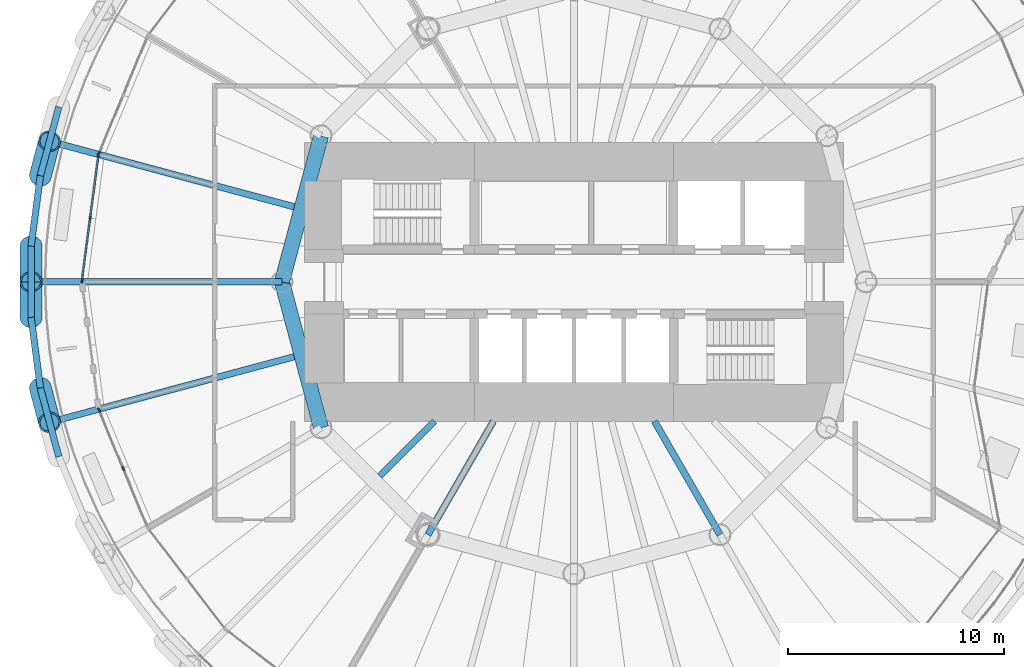
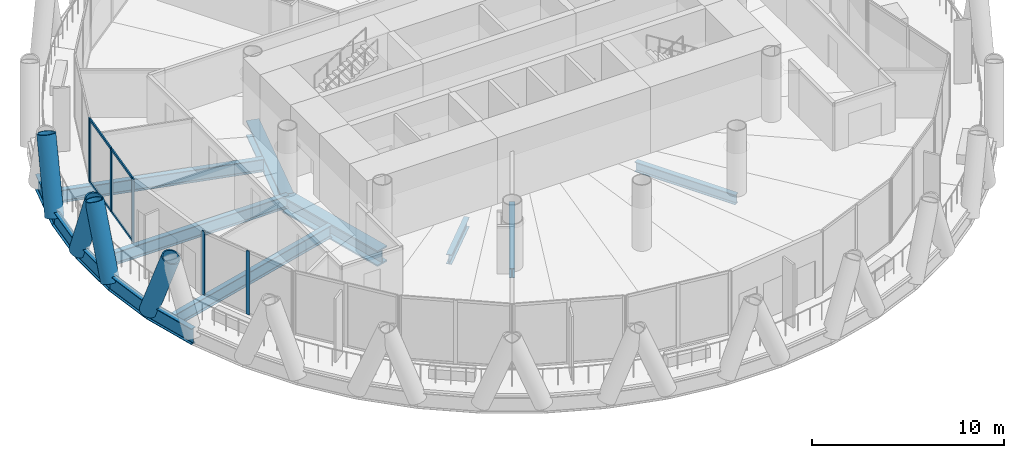
# One storey, part 3 of 15: 14 members, 13 beams, 3 elements without a shape of their own.
"""IFC4 building model written with IfcOpenShell, lengths in metres."""

from ifc_helpers import new_model, si_unit, direction, frame, origin, origin_2d, place, context, subcontext, project, spatial, rectangle, hollow_circle, i_section, extrude, material, material_profile, profile_set, type_object, element, aggregate, save


model = new_model("IFC4")

# Units and contexts
model_context = context("Model", 3, precision=1e-05, world=origin(), true_north=direction((0.0, 1.0)))
body_context = subcontext(model_context, "Body", "Model", "MODEL_VIEW")
ifc_project = project(units=[si_unit("LENGTHUNIT", "METRE"), si_unit("AREAUNIT", "SQUARE_METRE"), si_unit("VOLUMEUNIT", "CUBIC_METRE"), si_unit("PLANEANGLEUNIT", "RADIAN"), si_unit("MASSUNIT", "GRAM", prefix="KILO")], contexts=[model_context])

# Site, building, storey
site_placement = place(None, origin())
site = spatial("IfcSite", under=ifc_project, at=site_placement, CompositionType="ELEMENT")
building_placement = place(site_placement, origin())
building = spatial("IfcBuilding", under=site, at=building_placement, Name="Qaws Media Tower", CompositionType="ELEMENT")
storey_placement = place(building_placement, frame((0.0, 0.0, 122.60009765625)))
storey = spatial("IfcBuildingStorey", under=building, at=storey_placement, Name="L27", CompositionType="ELEMENT", Elevation=122.60009765625)

# Curtain wall, member
ifc_material_1 = material(Name="Aluminium and clear glass", Category="aluminium")
curtain_wall_type = type_object("IfcCurtainWallType", Name="Unitised curtain wall CW-B", PredefinedType="NOTDEFINED", material=ifc_material_1)
curtain_wall_1_placement = place(storey_placement, origin())
curtain_wall_1 = element("IfcCurtainWall", 1, at=curtain_wall_1_placement, inside=storey, type_object=curtain_wall_type, Name="CWB curtain wall L27-11", PredefinedType="NOTDEFINED")
ifc_material_2 = material(Name="Aluminium mullion", Category="aluminium")
ifc_material_profile_1 = material_profile(ifc_material_2, rectangle(XDim=0.080078125, YDim=0.199951171875, at=origin_2d()), Name="80x200")
ifc_profile_set_1 = profile_set([ifc_material_profile_1], Name="Aluminium mullion")
member_type_1 = type_object("IfcMemberType", Name="Curtain wall mullion 80x200", PredefinedType="MULLION", material=ifc_profile_set_1)
member_1_placement = place(storey_placement, frame((38.04052734375, 55.925048828125, 0.0), z_axis=(0.0, 0.0, 1.0), x_axis=(0.923879516221, -0.382683471693, 0.0)))
member_1 = element("IfcMember", 2, at=member_1_placement, type_object=member_type_1, Name="CWB mullion 3", PredefinedType="MULLION", context=body_context, shape_type="SweptSolid", body=[
    extrude(rectangle(XDim=0.080078125, YDim=0.199951171875, at=origin_2d()), origin(), (0.0, 0.0, 1.0), 4.039794921875),
])
aggregate(curtain_wall_1, [member_1])

# Curtain wall, members
curtain_wall_2_placement = place(storey_placement, origin())
curtain_wall_2 = element("IfcCurtainWall", 3, at=curtain_wall_2_placement, inside=storey, type_object=curtain_wall_type, Name="CWB curtain wall L27-12", PredefinedType="NOTDEFINED")
member_2_placement = place(storey_placement, frame((38.02001953125, 55.848388671875, 0.0), z_axis=(0.0, 0.0, 1.0), x_axis=(0.991444870429, -0.130526123437, 0.0)))
member_2 = element("IfcMember", 4, at=member_2_placement, type_object=member_type_1, Name="CWB mullion 1", PredefinedType="MULLION", context=body_context, shape_type="SweptSolid", body=[
    extrude(rectangle(XDim=0.080078125, YDim=0.199951171875, at=origin_2d()), origin(), (0.0, 0.0, 1.0), 4.039794921875),
])
member_3_placement = place(storey_placement, frame((37.6376953125, 52.944091796875, 0.0), z_axis=(0.0, 0.0, 1.0), x_axis=(0.991444870429, -0.130526123437, 0.0)))
member_3 = element("IfcMember", 5, at=member_3_placement, type_object=member_type_1, Name="CWB mullion 2", PredefinedType="MULLION", context=body_context, shape_type="SweptSolid", body=[
    extrude(rectangle(XDim=0.080078125, YDim=0.199951171875, at=origin_2d()), origin(), (0.0, 0.0, 1.0), 4.039794921875),
])
member_4_placement = place(storey_placement, frame((37.255126953125, 50.03955078125, 0.0), z_axis=(0.0, 0.0, 1.0), x_axis=(0.991444870429, -0.130526123437, 0.0)))
member_4 = element("IfcMember", 6, at=member_4_placement, type_object=member_type_1, Name="CWB mullion 3", PredefinedType="MULLION", context=body_context, shape_type="SweptSolid", body=[
    extrude(rectangle(XDim=0.080078125, YDim=0.199951171875, at=origin_2d()), origin(), (0.0, 0.0, 1.0), 4.039794921875),
])

curtain_wall_3_placement = place(storey_placement, origin())
curtain_wall_3 = element("IfcCurtainWall", 7, at=curtain_wall_3_placement, inside=storey, type_object=curtain_wall_type, Name="CWB curtain wall L27-14", PredefinedType="NOTDEFINED")
member_5_placement = place(storey_placement, frame((38.04052734375, 44.074951171875, 0.0), z_axis=(0.0, 0.0, 1.0), x_axis=(0.923879516221, 0.382683471693, 0.0)))
member_5 = element("IfcMember", 8, at=member_5_placement, type_object=member_type_1, Name="CWB mullion 1", PredefinedType="MULLION", context=body_context, shape_type="SweptSolid", body=[
    extrude(rectangle(XDim=0.080078125, YDim=0.199951171875, at=origin_2d()), origin(), (0.0, 0.0, 1.0), 4.039794921875),
])
member_6_placement = place(storey_placement, frame((39.16162109375, 41.368408203125, 0.0), z_axis=(0.0, 0.0, 1.0), x_axis=(0.923879516221, 0.382683471693, 0.0)))
member_6 = element("IfcMember", 9, at=member_6_placement, type_object=member_type_1, Name="CWB mullion 2", PredefinedType="MULLION", context=body_context, shape_type="SweptSolid", body=[
    extrude(rectangle(XDim=0.080078125, YDim=0.199951171875, at=origin_2d()), origin(), (0.0, 0.0, 1.0), 4.039794921875),
])
aggregate(curtain_wall_3, [member_5, member_6])

# Member
ifc_material_3 = material(Name="Aluminium transom", Category="aluminium")
ifc_material_profile_2 = material_profile(ifc_material_3, rectangle(XDim=0.080078125, YDim=0.159912109375, at=origin_2d()), Name="80x160")
ifc_profile_set_2 = profile_set([ifc_material_profile_2], Name="Aluminium transom")
member_type_2 = type_object("IfcMemberType", Name="Curtain wall transom 80x160", PredefinedType="USERDEFINED", material=ifc_profile_set_2)
member_7_placement = place(storey_placement, frame((38.0146484375, 55.808837890625, 0.039794921875), z_axis=(-0.130485540403, -0.991450212439, 0.0), x_axis=(0.991450212439, -0.130485540403, 0.0)))
member_7 = element("IfcMember", 10, at=member_7_placement, type_object=member_type_2, Name="CWB transom 1.1", ObjectType="TRANSOM", PredefinedType="USERDEFINED", context=body_context, shape_type="SweptSolid", body=[
    extrude(rectangle(XDim=0.080078125, YDim=0.159912109375, at=origin_2d()), origin(), (0.0, 0.0, 1.0), 2.849609375),
])

member_8_placement = place(storey_placement, frame((38.0146484375, 55.808837890625, 4.0), z_axis=(-0.130485540403, -0.991450212439, 0.0), x_axis=(0.991450212439, -0.130485540403, 0.0)))
member_8 = element("IfcMember", 11, at=member_8_placement, type_object=member_type_2, Name="CWB transom 1.2", ObjectType="TRANSOM", PredefinedType="USERDEFINED", context=body_context, shape_type="SweptSolid", body=[
    extrude(rectangle(XDim=0.080078125, YDim=0.159912109375, at=origin_2d()), origin(), (0.0, 0.0, 1.0), 2.849609375),
])

member_9_placement = place(storey_placement, frame((37.63232421875, 52.904296875, 0.039794921875), z_axis=(-0.130496625318, -0.991448753482, 0.0), x_axis=(0.991448753482, -0.130496625318, 0.0)))
member_9 = element("IfcMember", 12, at=member_9_placement, type_object=member_type_2, Name="CWB transom 2.1", ObjectType="TRANSOM", PredefinedType="USERDEFINED", context=body_context, shape_type="SweptSolid", body=[
    extrude(rectangle(XDim=0.080078125, YDim=0.159912109375, at=origin_2d()), origin(), (0.0, 0.0, 1.0), 2.849365234375),
])

member_10_placement = place(storey_placement, frame((37.63232421875, 52.904296875, 4.0), z_axis=(-0.130496625318, -0.991448753482, 0.0), x_axis=(0.991448753482, -0.130496625318, 0.0)))
member_10 = element("IfcMember", 13, at=member_10_placement, type_object=member_type_2, Name="CWB transom 2.2", ObjectType="TRANSOM", PredefinedType="USERDEFINED", context=body_context, shape_type="SweptSolid", body=[
    extrude(rectangle(XDim=0.080078125, YDim=0.159912109375, at=origin_2d()), origin(), (0.0, 0.0, 1.0), 2.849365234375),
])

aggregate(curtain_wall_2, [member_2, member_3, member_4, member_7, member_8, member_9, member_10])

# Members
ifc_material_4 = material(Name="Steel S460", Category="steel")
ifc_material_profile_3 = material_profile(ifc_material_4, hollow_circle(Radius=0.508056640625, WallThickness=0.070068359375, at=origin_2d()), Name="CHS 1016x70")
ifc_profile_set_3 = profile_set([ifc_material_profile_3], Name="Steel S460")
member_type_3 = type_object("IfcMemberType", Name="Diagrid member CHS 1016x70", PredefinedType="USERDEFINED", material=ifc_profile_set_3)
for number, where, z_axis, x_axis, name in (
    (14, (34.90380859375, 51.644775390625, -0.6640625), (-0.000866028828, -0.364652263456, 0.931143370674), (0.999997179832, -0.002374937639, 0.0), "DG3 diagrid L27 A12"),
    (15, (35.333251953125, 54.906494140625, -0.6640625), (0.093584121618, 0.35246951994, 0.931132240713), (-0.966512740702, 0.256618631553, 0.0), "DG3 diagrid L27 B12"),
    (16, (35.333251953125, 45.093505859375, -0.6640625), (0.093584121618, -0.35246951994, 0.931132240713), (0.966512740702, 0.256618631553, 0.0), "DG3 diagrid L27 A13"),
    (17, (34.90380859375, 48.355224609375, -0.6640625), (-0.000866028828, 0.364652263456, 0.931143370674), (-0.999997179832, -0.002374937639, 0.0), "DG3 diagrid L27 B13"),
):
    element("IfcMember", number, at=place(storey_placement, frame(where, z_axis=z_axis, x_axis=x_axis)), inside=storey, type_object=member_type_3, Name=name, ObjectType="DIAGRID", PredefinedType="USERDEFINED", context=body_context, shape_type="SweptSolid", body=[
        extrude(hollow_circle(Radius=0.508056640625, WallThickness=0.070068359375, at=origin_2d()), origin(), (0.0, 0.0, 1.0), 4.510498046875),
    ])

# Beams
ifc_material_5 = material(Name="Steel S460", Category="steel")
ifc_material_profile_4 = material_profile(ifc_material_5, i_section(OverallWidth=0.302001953125, OverallDepth=1.008056640625, WebThickness=0.02099609375, FlangeThickness=0.0400390625, FilletRadius=0.030029296875, at=origin_2d()), Name="HE 1000 M")
ifc_profile_set_4 = profile_set([ifc_material_profile_4], Name="Steel S460")
beam_type_1 = type_object("IfcBeamType", Name="Edge ring beam HE 1000 M", PredefinedType="BEAM", material=ifc_profile_set_4)
for number, where, z_axis, x_axis, name in (
    (18, (36.184814453125, 58.084228515625, -0.6640625), (-0.258844892706, -0.965918900074, 0.0), (0.965918900074, -0.258844892706, 0.0), "RB3 edge ring beam L27-22"),
    (19, (35.333251953125, 54.906494140625, -0.6640625), (-0.130535137689, -0.991443683639, 0.0), (0.991443683639, -0.130535137689, 0.0), "RB3 edge ring beam L27-23"),
):
    element("IfcBeam", number, at=place(storey_placement, frame(where, z_axis=z_axis, x_axis=x_axis)), inside=storey, type_object=beam_type_1, Name=name, PredefinedType="BEAM", context=body_context, shape_type="SweptSolid", body=[
        extrude(i_section(OverallWidth=0.302001953125, OverallDepth=1.008056640625, WebThickness=0.02099609375, FlangeThickness=0.0400390625, FilletRadius=0.030029296875, at=origin_2d()), origin(), (0.0, 0.0, 1.0), 3.289794921875),
    ])
beam_1_placement = place(storey_placement, frame((34.90380859375, 51.644775390625, -0.6640625), z_axis=(0.0, -1.0, 0.0), x_axis=(1.0, 0.0, 0.0)))
element("IfcBeam", 20, at=beam_1_placement, inside=storey, type_object=beam_type_1, Name="RB3 edge ring beam L27-24", PredefinedType="BEAM", context=body_context, shape_type="SweptSolid", body=[
    extrude(i_section(OverallWidth=0.302001953125, OverallDepth=1.008056640625, WebThickness=0.02099609375, FlangeThickness=0.0400390625, FilletRadius=0.030029296875, at=origin_2d()), origin(), (0.0, 0.0, 1.0), 3.28955078125),
])
for number, where, z_axis, x_axis, name in (
    (21, (34.90380859375, 48.355224609375, -0.6640625), (0.130535137689, -0.991443683639, 0.0), (0.991443683639, 0.130535137689, 0.0), "RB3 edge ring beam L27-25"),
    (22, (35.333251953125, 45.093505859375, -0.6640625), (0.258844892706, -0.965918900074, 0.0), (0.965918900074, 0.258844892706, 0.0), "RB3 edge ring beam L27-26"),
):
    element("IfcBeam", number, at=place(storey_placement, frame(where, z_axis=z_axis, x_axis=x_axis)), inside=storey, type_object=beam_type_1, Name=name, PredefinedType="BEAM", context=body_context, shape_type="SweptSolid", body=[
        extrude(i_section(OverallWidth=0.302001953125, OverallDepth=1.008056640625, WebThickness=0.02099609375, FlangeThickness=0.0400390625, FilletRadius=0.030029296875, at=origin_2d()), origin(), (0.0, 0.0, 1.0), 3.289794921875),
    ])
ifc_material_6 = material(Name="Steel S460", Category="steel")
ifc_material_profile_5 = material_profile(ifc_material_6, i_section(OverallWidth=0.699951171875, OverallDepth=1.0, WebThickness=0.034912109375, FlangeThickness=0.090087890625, at=origin_2d()), Name="PG 1000x700")
ifc_profile_set_5 = profile_set([ifc_material_profile_5], Name="Steel S460")
beam_type_2 = type_object("IfcBeamType", Name="Inner ring girder PG 1000x700", PredefinedType="BEAM", material=ifc_profile_set_5)
for number, where, z_axis, x_axis, name in (
    (23, (48.30859375, 56.75, -0.66015625), (-0.258810593767, -0.965928090778, 0.0), (0.965928090778, -0.258810593767, 0.0), "B3 inner ring beam L27 I06-I07"),
    (24, (46.5, 50.0, -0.66015625), (0.258810593767, -0.965928090778, 0.0), (0.965928090778, 0.258810593767, 0.0), "B3 inner ring beam L27 I07-I08"),
):
    element("IfcBeam", number, at=place(storey_placement, frame(where, z_axis=z_axis, x_axis=x_axis)), inside=storey, type_object=beam_type_2, Name=name, PredefinedType="BEAM", context=body_context, shape_type="SweptSolid", body=[
        extrude(i_section(OverallWidth=0.699951171875, OverallDepth=1.0, WebThickness=0.034912109375, FlangeThickness=0.090087890625, at=origin_2d()), origin(), (0.0, 0.0, 1.0), 6.988037109375),
    ])
ifc_material_7 = material(Name="Steel S355", Category="steel")
ifc_material_profile_6 = material_profile(ifc_material_7, i_section(OverallWidth=0.304931640625, OverallDepth=0.6201171875, WebThickness=0.02099609375, FlangeThickness=0.0400390625, FilletRadius=0.027099609375, at=origin_2d()), Name="HE 600 M")
ifc_profile_set_6 = profile_set([ifc_material_profile_6], Name="Steel S355")
beam_type_3 = type_object("IfcBeamType", Name="Radial beam HE 600 M, core side", PredefinedType="BEAM", material=ifc_profile_set_6)
beam_2_placement = place(storey_placement, frame((53.550048828125, 43.550048828125, -0.47021484375), z_axis=(-0.707106781187, -0.707106781187, 0.0), x_axis=(0.707106781187, -0.707106781187, 0.0)))
element("IfcBeam", 25, at=beam_2_placement, inside=storey, type_object=beam_type_3, Name="B2 radial beam L27 16", PredefinedType="BEAM", context=body_context, shape_type="SweptSolid", body=[
    extrude(i_section(OverallWidth=0.304931640625, OverallDepth=0.6201171875, WebThickness=0.02099609375, FlangeThickness=0.0400390625, FilletRadius=0.027099609375, at=origin_2d()), origin(), (0.0, 0.0, 1.0), 3.568359375),
])
for number, where, z_axis, x_axis, name in (
    (26, (56.276123046875, 43.550048828125, -0.47021484375), (-0.499995978368, -0.866027725662, 0.0), (0.866027725662, -0.499995978368, 0.0), "B2 radial beam L27 17"),
    (27, (63.723876953125, 43.550048828125, -0.47021484375), (0.499995978368, -0.866027725662, 0.0), (0.866027725662, 0.499995978368, 0.0), "B2 radial beam L27 21"),
):
    element("IfcBeam", number, at=place(storey_placement, frame(where, z_axis=z_axis, x_axis=x_axis)), inside=storey, type_object=beam_type_3, Name=name, PredefinedType="BEAM", context=body_context, shape_type="SweptSolid", body=[
        extrude(i_section(OverallWidth=0.304931640625, OverallDepth=0.6201171875, WebThickness=0.02099609375, FlangeThickness=0.0400390625, FilletRadius=0.027099609375, at=origin_2d()), origin(), (0.0, 0.0, 1.0), 6.05224609375),
    ])
ifc_material_8 = material(Name="Steel S355", Category="steel")
ifc_material_profile_7 = material_profile(ifc_material_8, i_section(OverallWidth=0.300048828125, OverallDepth=0.800048828125, WebThickness=0.017578125, FlangeThickness=0.032958984375, FilletRadius=0.030029296875, at=origin_2d()), Name="HE 800 B")
ifc_profile_set_7 = profile_set([ifc_material_profile_7], Name="Steel S355")
beam_type_4 = type_object("IfcBeamType", Name="Radial beam HE 800 B", PredefinedType="BEAM", material=ifc_profile_set_7)
beam_3_placement = place(storey_placement, frame((47.066162109375, 53.465576171875, -0.56005859375), z_axis=(-0.965924777737, 0.258822958322, 0.0), x_axis=(-0.258822958322, -0.965924777737, 0.0)))
element("IfcBeam", 28, at=beam_3_placement, inside=storey, type_object=beam_type_4, Name="B1 radial beam L27 12", PredefinedType="BEAM", context=body_context, shape_type="SweptSolid", body=[
    extrude(i_section(OverallWidth=0.300048828125, OverallDepth=0.800048828125, WebThickness=0.017578125, FlangeThickness=0.032958984375, FilletRadius=0.030029296875, at=origin_2d()), origin(), (0.0, 0.0, 1.0), 11.7060546875),
])
beam_4_placement = place(storey_placement, frame((46.5, 50.0, -0.56005859375), z_axis=(-1.0, 0.0, 0.0), x_axis=(0.0, -1.0, 0.0)))
element("IfcBeam", 29, at=beam_4_placement, inside=storey, type_object=beam_type_4, Name="B1 radial beam L27 13", PredefinedType="BEAM", context=body_context, shape_type="SweptSolid", body=[
    extrude(i_section(OverallWidth=0.300048828125, OverallDepth=0.800048828125, WebThickness=0.017578125, FlangeThickness=0.032958984375, FilletRadius=0.030029296875, at=origin_2d()), origin(), (0.0, 0.0, 1.0), 11.59619140625),
])
beam_5_placement = place(storey_placement, frame((47.066162109375, 46.534423828125, -0.56005859375), z_axis=(-0.965924777737, -0.258822958322, 0.0), x_axis=(0.258822958322, -0.965924777737, 0.0)))
element("IfcBeam", 30, at=beam_5_placement, inside=storey, type_object=beam_type_4, Name="B1 radial beam L27 14", PredefinedType="BEAM", context=body_context, shape_type="SweptSolid", body=[
    extrude(i_section(OverallWidth=0.300048828125, OverallDepth=0.800048828125, WebThickness=0.017578125, FlangeThickness=0.032958984375, FilletRadius=0.030029296875, at=origin_2d()), origin(), (0.0, 0.0, 1.0), 11.7060546875),
])

save(model, "model.ifc")
